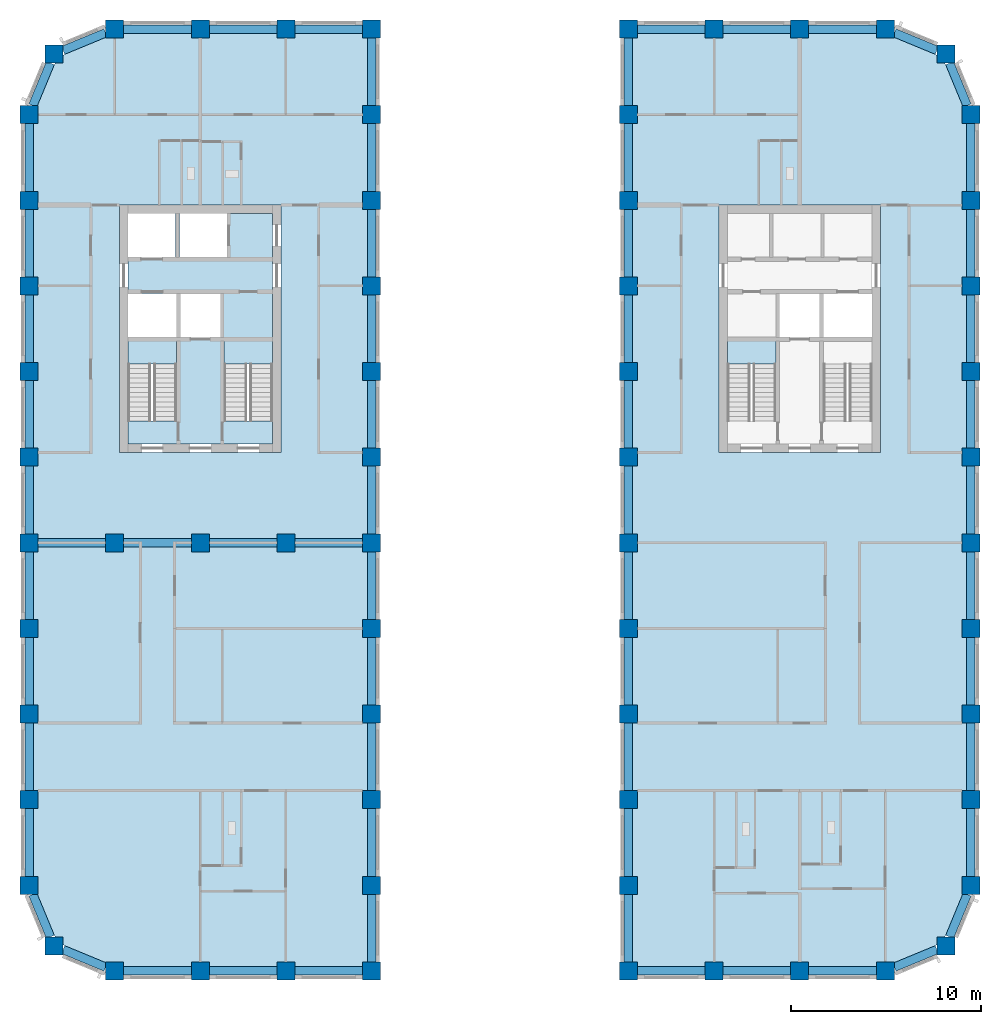
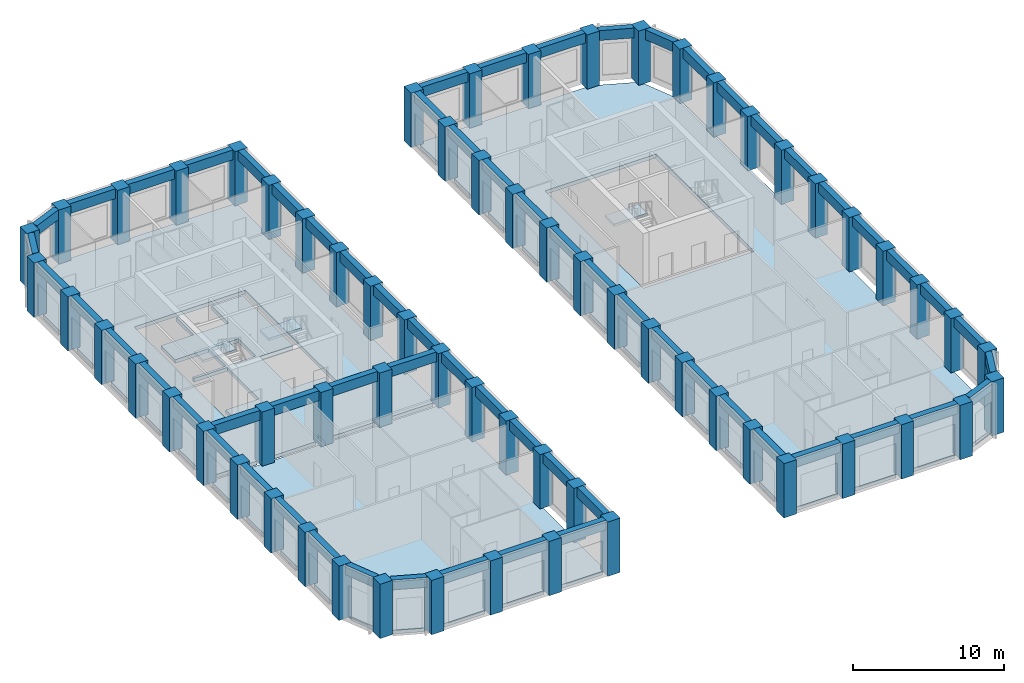
# One storey, part 1 of 13: 64 beams, 63 columns, 7 slabs, 3 elements without a shape of their own.
"""IFC4 building model written with IfcOpenShell, lengths in metres."""

from ifc_helpers import new_model, si_unit, direction, frame, origin, origin_2d, place, context, subcontext, project, spatial, polyline, rectangle, outline, extrude, material, layer, layer_set, material_profile, profile_set, type_object, element, aggregate, save


model = new_model("IFC4")

# Units and contexts
model_context = context("Model", 3, precision=1e-05, world=origin(), true_north=direction((0.0, 1.0)))
body_context = subcontext(model_context, "Body", "Model", "MODEL_VIEW")
ifc_project = project(units=[si_unit("LENGTHUNIT", "METRE"), si_unit("AREAUNIT", "SQUARE_METRE"), si_unit("VOLUMEUNIT", "CUBIC_METRE"), si_unit("PLANEANGLEUNIT", "RADIAN"), si_unit("MASSUNIT", "GRAM", prefix="KILO")], contexts=[model_context])

# Site, building, storey
site_placement = place(None, origin())
site = spatial("IfcSite", under=ifc_project, at=site_placement, CompositionType="ELEMENT")
building_placement = place(site_placement, origin())
building = spatial("IfcBuilding", under=site, at=building_placement, Name="Girih Gate Residences", CompositionType="ELEMENT")
storey_placement = place(building_placement, frame((0.0, 0.0, 159.39990234375)))
storey = spatial("IfcBuildingStorey", under=building, at=storey_placement, Name="L44", CompositionType="ELEMENT", Elevation=159.39990234375)

# Columns
ifc_material_1 = material(Name="Concrete C70/85", Category="concrete")
ifc_material_profile_1 = material_profile(ifc_material_1, rectangle(XDim=0.949951171875, YDim=0.949951171875, at=origin_2d()))
ifc_profile_set_1 = profile_set([ifc_material_profile_1], Name="Concrete C70/85")
column_type = type_object("IfcColumnType", Name="Pier RC 950x950 Concrete C70/85", PredefinedType="COLUMN", material=ifc_profile_set_1)
for number, where, z_axis, x_axis, name in (
    (1, (4.5, 0.0, 0.0), (0.0, 0.0, 1.0), (1.0, 0.0, 0.0), "Pier P2A L44"),
    (2, (9.0, 0.0, 0.0), (0.0, 0.0, 1.0), (1.0, 0.0, 0.0), "Pier P3A L44"),
    (3, (13.5, 0.0, 0.0), (0.0, 0.0, 1.0), (1.0, 0.0, 0.0), "Pier P4A L44"),
    (4, (18.0, 0.0, 0.0), (0.0, 0.0, 1.0), (1.0, 0.0, 0.0), "Pier P5A L44"),
    (5, (31.5, 0.0, 0.0), (0.0, 0.0, 1.0), (1.0, 0.0, 0.0), "Pier P8A L44"),
    (6, (36.0, 0.0, 0.0), (0.0, 0.0, 1.0), (1.0, 0.0, 0.0), "Pier P9A L44"),
    (7, (40.5, 0.0, 0.0), (0.0, 0.0, 1.0), (1.0, 0.0, 0.0), "Pier P10A L44"),
    (8, (45.0, 0.0, 0.0), (0.0, 0.0, 1.0), (1.0, 0.0, 0.0), "Pier P11A L44"),
    (9, (1.318115234375, 1.318115234375, 0.0), (0.0, 0.0, 1.0), (1.0, 0.0, 0.0), "Pier P1ANE L44"),
    (10, (48.181884765625, 1.318115234375, 0.0), (0.0, 0.0, 1.0), (1.0, 0.0, 0.0), "Pier P12ANW L44"),
    (11, (0.0, 4.5, 0.0), (0.0, 0.0, 1.0), (1.0, 0.0, 0.0), "Pier P1B L44"),
    (12, (18.0, 4.5, 0.0), (0.0, 0.0, 1.0), (1.0, 0.0, 0.0), "Pier P5B L44"),
    (13, (31.5, 4.5, 0.0), (0.0, 0.0, 1.0), (1.0, 0.0, 0.0), "Pier P8B L44"),
    (14, (49.5, 4.5, 0.0), (0.0, 0.0, 1.0), (1.0, 0.0, 0.0), "Pier P12B L44"),
    (15, (0.0, 9.0, 0.0), (0.0, 0.0, 1.0), (1.0, 0.0, 0.0), "Pier P1C L44"),
    (16, (18.0, 9.0, 0.0), (0.0, 0.0, 1.0), (1.0, 0.0, 0.0), "Pier P5C L44"),
    (17, (31.5, 9.0, 0.0), (0.0, 0.0, 1.0), (1.0, 0.0, 0.0), "Pier P8C L44"),
    (18, (49.5, 9.0, 0.0), (0.0, 0.0, 1.0), (1.0, 0.0, 0.0), "Pier P12C L44"),
    (19, (0.0, 13.5, 0.0), (0.0, 0.0, 1.0), (1.0, 0.0, 0.0), "Pier P1D L44"),
    (20, (18.0, 13.5, 0.0), (0.0, 0.0, 1.0), (1.0, 0.0, 0.0), "Pier P5D L44"),
    (21, (31.5, 13.5, 0.0), (0.0, 0.0, 1.0), (1.0, 0.0, 0.0), "Pier P8D L44"),
    (22, (49.5, 13.5, 0.0), (0.0, 0.0, 1.0), (1.0, 0.0, 0.0), "Pier P12D L44"),
    (23, (0.0, 18.0, 0.0), (0.0, 0.0, 1.0), (1.0, 0.0, 0.0), "Pier P1E L44"),
    (24, (18.0, 18.0, 0.0), (0.0, 0.0, 1.0), (1.0, 0.0, 0.0), "Pier P5E L44"),
    (25, (31.5, 18.0, 0.0), (0.0, 0.0, 1.0), (1.0, 0.0, 0.0), "Pier P8E L44"),
    (26, (49.5, 18.0, 0.0), (0.0, 0.0, 1.0), (1.0, 0.0, 0.0), "Pier P12E L44"),
    (27, (0.0, 22.5, 0.0), (0.0, 0.0, 1.0), (1.0, 0.0, 0.0), "Pier P1F L44"),
    (28, (4.5, 22.5, 0.0), (0.0, 0.0, 1.0), (1.0, 0.0, 0.0), "Pier P2F L44"),
    (29, (9.0, 22.5, 0.0), (0.0, 0.0, 1.0), (1.0, 0.0, 0.0), "Pier P3F L44"),
    (30, (13.5, 22.5, 0.0), (0.0, 0.0, 1.0), (1.0, 0.0, 0.0), "Pier P4F L44"),
    (31, (18.0, 22.5, 0.0), (0.0, 0.0, 1.0), (1.0, 0.0, 0.0), "Pier P5F L44"),
    (32, (31.5, 22.5, 0.0), (0.0, 0.0, 1.0), (1.0, 0.0, 0.0), "Pier P8F L44"),
    (33, (49.5, 22.5, 0.0), (0.0, 0.0, 1.0), (1.0, 0.0, 0.0), "Pier P12F L44"),
    (34, (0.0, 27.0, 0.0), (0.0, 0.0, 1.0), (1.0, 0.0, 0.0), "Pier P1G L44"),
    (35, (18.0, 27.0, 0.0), (0.0, 0.0, 1.0), (1.0, 0.0, 0.0), "Pier P5G L44"),
    (36, (31.5, 27.0, 0.0), (0.0, 0.0, 1.0), (1.0, 0.0, 0.0), "Pier P8G L44"),
    (37, (49.5, 27.0, 0.0), (0.0, 0.0, 1.0), (1.0, 0.0, 0.0), "Pier P12G L44"),
    (38, (0.0, 31.5, 0.0), (0.0, 0.0, 1.0), (1.0, 0.0, 0.0), "Pier P1H L44"),
    (39, (18.0, 31.5, 0.0), (0.0, 0.0, 1.0), (1.0, 0.0, 0.0), "Pier P5H L44"),
    (40, (31.5, 31.5, 0.0), (0.0, 0.0, 1.0), (1.0, 0.0, 0.0), "Pier P8H L44"),
    (41, (49.5, 31.5, 0.0), (0.0, 0.0, 1.0), (1.0, 0.0, 0.0), "Pier P12H L44"),
    (42, (0.0, 36.0, 0.0), (0.0, 0.0, 1.0), (1.0, 0.0, 0.0), "Pier P1I L44"),
    (43, (18.0, 36.0, 0.0), (0.0, 0.0, 1.0), (1.0, 0.0, 0.0), "Pier P5I L44"),
    (44, (31.5, 36.0, 0.0), (0.0, 0.0, 1.0), (1.0, 0.0, 0.0), "Pier P8I L44"),
    (45, (49.5, 36.0, 0.0), (0.0, 0.0, 1.0), (1.0, 0.0, 0.0), "Pier P12I L44"),
    (46, (0.0, 40.5, 0.0), (0.0, 0.0, 1.0), (1.0, 0.0, 0.0), "Pier P1J L44"),
    (47, (18.0, 40.5, 0.0), (0.0, 0.0, 1.0), (1.0, 0.0, 0.0), "Pier P5J L44"),
    (48, (31.5, 40.5, 0.0), (0.0, 0.0, 1.0), (1.0, 0.0, 0.0), "Pier P8J L44"),
    (49, (49.5, 40.5, 0.0), (0.0, 0.0, 1.0), (1.0, 0.0, 0.0), "Pier P12J L44"),
    (50, (0.0, 45.0, 0.0), (0.0, 0.0, 1.0), (1.0, 0.0, 0.0), "Pier P1K L44"),
    (51, (18.0, 45.0, 0.0), (0.0, 0.0, 1.0), (1.0, 0.0, 0.0), "Pier P5K L44"),
    (52, (31.5, 45.0, 0.0), (0.0, 0.0, 1.0), (1.0, 0.0, 0.0), "Pier P8K L44"),
    (53, (49.5, 45.0, 0.0), (0.0, 0.0, 1.0), (1.0, 0.0, 0.0), "Pier P12K L44"),
    (54, (1.318115234375, 48.181884765625, 0.0), (0.0, 0.0, 1.0), (1.0, 0.0, 0.0), "Pier P1LSE L44"),
    (55, (48.181884765625, 48.181884765625, 0.0), (0.0, 0.0, 1.0), (1.0, 0.0, 0.0), "Pier P12LSW L44"),
    (56, (4.5, 49.5, 0.0), (0.0, 0.0, 1.0), (1.0, 0.0, 0.0), "Pier P2L L44"),
    (57, (9.0, 49.5, 0.0), (0.0, 0.0, 1.0), (1.0, 0.0, 0.0), "Pier P3L L44"),
    (58, (13.5, 49.5, 0.0), (0.0, 0.0, 1.0), (1.0, 0.0, 0.0), "Pier P4L L44"),
    (59, (18.0, 49.5, 0.0), (0.0, 0.0, 1.0), (1.0, 0.0, 0.0), "Pier P5L L44"),
    (60, (31.5, 49.5, 0.0), (0.0, 0.0, 1.0), (1.0, 0.0, 0.0), "Pier P8L L44"),
    (61, (36.0, 49.5, 0.0), (0.0, 0.0, 1.0), (1.0, 0.0, 0.0), "Pier P9L L44"),
    (62, (40.5, 49.5, 0.0), (0.0, 0.0, 1.0), (1.0, 0.0, 0.0), "Pier P10L L44"),
    (63, (45.0, 49.5, 0.0), (0.0, 0.0, 1.0), (1.0, 0.0, 0.0), "Pier P11L L44"),
):
    element("IfcColumn", number, at=place(storey_placement, frame(where, z_axis=z_axis, x_axis=x_axis)), inside=storey, type_object=column_type, Name=name, PredefinedType="COLUMN", context=body_context, shape_type="SweptSolid", body=[
        extrude(rectangle(XDim=0.949951171875, YDim=0.949951171875, at=origin_2d()), origin(), (0.0, 0.0, 1.0), 4.400146484375),
    ])

# Beams
ifc_material_2 = material(Name="Concrete C60/75", Category="concrete")
ifc_material_profile_2 = material_profile(ifc_material_2, rectangle(XDim=0.449951171875, YDim=0.800048828125, at=origin_2d()))
ifc_profile_set_2 = profile_set([ifc_material_profile_2], Name="Concrete C60/75")
beam_type = type_object("IfcBeamType", Name="Spandrel girder RC 450x800 Concrete C60/75", PredefinedType="BEAM", material=ifc_profile_set_2)
for number, where, z_axis, x_axis, name in (
    (64, (17.52490234375, 49.5, 4.0), (-1.0, 0.0, 0.0), (0.0, -1.0, 0.0), "Spandrel girder SP-P5L-P4L L44"),
    (65, (13.02490234375, 49.5, 4.0), (-1.0, 0.0, 0.0), (0.0, -1.0, 0.0), "Spandrel girder SP-P4L-P3L L44"),
    (66, (8.52490234375, 49.5, 4.0), (-1.0, 0.0, 0.0), (0.0, -1.0, 0.0), "Spandrel girder SP-P3L-P2L L44"),
):
    element("IfcBeam", number, at=place(storey_placement, frame(where, z_axis=z_axis, x_axis=x_axis)), inside=storey, type_object=beam_type, Name=name, PredefinedType="BEAM", context=body_context, shape_type="SweptSolid", body=[
        extrude(rectangle(XDim=0.449951171875, YDim=0.800048828125, at=origin_2d()), origin(), (0.0, 0.0, 1.0), 3.5498046875),
    ])
for number, where, z_axis, x_axis, name in (
    (67, (4.02490234375, 49.30322265625, 4.0), (-0.923870256451, -0.382705825988, 0.0), (0.382705825988, -0.923870256451, 0.0), "Spandrel girder SP-P2L-P1LSE L44"),
    (68, (1.121337890625, 47.70703125, 4.0), (-0.382705825988, -0.923870256451, 0.0), (0.923870256451, -0.382705825988, 0.0), "Spandrel girder SP-P1LSE-P1K L44"),
):
    element("IfcBeam", number, at=place(storey_placement, frame(where, z_axis=z_axis, x_axis=x_axis)), inside=storey, type_object=beam_type, Name=name, PredefinedType="BEAM", context=body_context, shape_type="SweptSolid", body=[
        extrude(rectangle(XDim=0.449951171875, YDim=0.800048828125, at=origin_2d()), origin(), (0.0, 0.0, 1.0), 2.415771484375),
    ])
for number, where, z_axis, x_axis, name in (
    (69, (0.0, 44.52490234375, 4.0), (0.0, -1.0, 0.0), (1.0, 0.0, 0.0), "Spandrel girder SP-P1K-P1J L44"),
    (70, (0.0, 40.02490234375, 4.0), (0.0, -1.0, 0.0), (1.0, 0.0, 0.0), "Spandrel girder SP-P1J-P1I L44"),
    (71, (0.0, 35.52490234375, 4.0), (0.0, -1.0, 0.0), (1.0, 0.0, 0.0), "Spandrel girder SP-P1I-P1H L44"),
    (72, (0.0, 31.02490234375, 4.0), (0.0, -1.0, 0.0), (1.0, 0.0, 0.0), "Spandrel girder SP-P1H-P1G L44"),
    (73, (0.0, 26.52490234375, 4.0), (0.0, -1.0, 0.0), (1.0, 0.0, 0.0), "Spandrel girder SP-P1G-P1F L44"),
    (74, (0.0, 22.02490234375, 4.0), (0.0, -1.0, 0.0), (1.0, 0.0, 0.0), "Spandrel girder SP-P1F-P1E L44"),
    (75, (0.0, 17.52490234375, 4.0), (0.0, -1.0, 0.0), (1.0, 0.0, 0.0), "Spandrel girder SP-P1E-P1D L44"),
    (76, (0.0, 13.02490234375, 4.0), (0.0, -1.0, 0.0), (1.0, 0.0, 0.0), "Spandrel girder SP-P1D-P1C L44"),
    (77, (0.0, 8.52490234375, 4.0), (0.0, -1.0, 0.0), (1.0, 0.0, 0.0), "Spandrel girder SP-P1C-P1B L44"),
):
    element("IfcBeam", number, at=place(storey_placement, frame(where, z_axis=z_axis, x_axis=x_axis)), inside=storey, type_object=beam_type, Name=name, PredefinedType="BEAM", context=body_context, shape_type="SweptSolid", body=[
        extrude(rectangle(XDim=0.449951171875, YDim=0.800048828125, at=origin_2d()), origin(), (0.0, 0.0, 1.0), 3.5498046875),
    ])
for number, where, z_axis, x_axis, name in (
    (78, (0.19677734375, 4.02490234375, 4.0), (0.382705825988, -0.923870256451, 0.0), (0.923870256451, 0.382705825988, 0.0), "Spandrel girder SP-P1B-P1ANE L44"),
    (79, (1.79296875, 1.121337890625, 4.0), (0.923870256451, -0.382705825988, 0.0), (0.382705825988, 0.923870256451, 0.0), "Spandrel girder SP-P1ANE-P2A L44"),
):
    element("IfcBeam", number, at=place(storey_placement, frame(where, z_axis=z_axis, x_axis=x_axis)), inside=storey, type_object=beam_type, Name=name, PredefinedType="BEAM", context=body_context, shape_type="SweptSolid", body=[
        extrude(rectangle(XDim=0.449951171875, YDim=0.800048828125, at=origin_2d()), origin(), (0.0, 0.0, 1.0), 2.415771484375),
    ])
for number, where, z_axis, x_axis, name in (
    (80, (4.97509765625, 0.0, 4.0), (1.0, 0.0, 0.0), (0.0, 1.0, 0.0), "Spandrel girder SP-P2A-P3A L44"),
    (81, (9.47509765625, 0.0, 4.0), (1.0, 0.0, 0.0), (0.0, 1.0, 0.0), "Spandrel girder SP-P3A-P4A L44"),
    (82, (13.97509765625, 0.0, 4.0), (1.0, 0.0, 0.0), (0.0, 1.0, 0.0), "Spandrel girder SP-P4A-P5A L44"),
    (83, (18.0, 0.47509765625, 4.0), (0.0, 1.0, 0.0), (-1.0, 0.0, 0.0), "Spandrel girder SP-P5A-P5B L44"),
    (84, (18.0, 4.97509765625, 4.0), (0.0, 1.0, 0.0), (-1.0, 0.0, 0.0), "Spandrel girder SP-P5B-P5C L44"),
    (85, (18.0, 9.47509765625, 4.0), (0.0, 1.0, 0.0), (-1.0, 0.0, 0.0), "Spandrel girder SP-P5C-P5D L44"),
    (86, (18.0, 13.97509765625, 4.0), (0.0, 1.0, 0.0), (-1.0, 0.0, 0.0), "Spandrel girder SP-P5D-P5E L44"),
    (87, (18.0, 18.47509765625, 4.0), (0.0, 1.0, 0.0), (-1.0, 0.0, 0.0), "Spandrel girder SP-P5E-P5F L44"),
    (88, (18.0, 22.97509765625, 4.0), (0.0, 1.0, 0.0), (-1.0, 0.0, 0.0), "Spandrel girder SP-P5F-P5G L44"),
    (89, (18.0, 27.47509765625, 4.0), (0.0, 1.0, 0.0), (-1.0, 0.0, 0.0), "Spandrel girder SP-P5G-P5H L44"),
    (90, (18.0, 31.97509765625, 4.0), (0.0, 1.0, 0.0), (-1.0, 0.0, 0.0), "Spandrel girder SP-P5H-P5I L44"),
    (91, (18.0, 36.47509765625, 4.0), (0.0, 1.0, 0.0), (-1.0, 0.0, 0.0), "Spandrel girder SP-P5I-P5J L44"),
    (92, (18.0, 40.97509765625, 4.0), (0.0, 1.0, 0.0), (-1.0, 0.0, 0.0), "Spandrel girder SP-P5J-P5K L44"),
    (93, (18.0, 45.47509765625, 4.0), (0.0, 1.0, 0.0), (-1.0, 0.0, 0.0), "Spandrel girder SP-P5K-P5L L44"),
    (94, (31.97509765625, 0.0, 4.0), (1.0, 0.0, 0.0), (0.0, 1.0, 0.0), "Spandrel girder SP-P8A-P9A L44"),
    (95, (36.47509765625, 0.0, 4.0), (1.0, 0.0, 0.0), (0.0, 1.0, 0.0), "Spandrel girder SP-P9A-P10A L44"),
    (96, (40.97509765625, 0.0, 4.0), (1.0, 0.0, 0.0), (0.0, 1.0, 0.0), "Spandrel girder SP-P10A-P11A L44"),
):
    element("IfcBeam", number, at=place(storey_placement, frame(where, z_axis=z_axis, x_axis=x_axis)), inside=storey, type_object=beam_type, Name=name, PredefinedType="BEAM", context=body_context, shape_type="SweptSolid", body=[
        extrude(rectangle(XDim=0.449951171875, YDim=0.800048828125, at=origin_2d()), origin(), (0.0, 0.0, 1.0), 3.5498046875),
    ])
for number, where, z_axis, x_axis, name in (
    (97, (45.47509765625, 0.19677734375, 4.0), (0.923870256451, 0.382705825988, 0.0), (-0.382705825988, 0.923870256451, 0.0), "Spandrel girder SP-P11A-P12ANW L44"),
    (98, (48.378662109375, 1.79296875, 4.0), (0.382705825988, 0.923870256451, 0.0), (-0.923870256451, 0.382705825988, 0.0), "Spandrel girder SP-P12ANW-P12B L44"),
):
    element("IfcBeam", number, at=place(storey_placement, frame(where, z_axis=z_axis, x_axis=x_axis)), inside=storey, type_object=beam_type, Name=name, PredefinedType="BEAM", context=body_context, shape_type="SweptSolid", body=[
        extrude(rectangle(XDim=0.449951171875, YDim=0.800048828125, at=origin_2d()), origin(), (0.0, 0.0, 1.0), 2.415771484375),
    ])
for number, where, z_axis, x_axis, name in (
    (99, (49.5, 4.97509765625, 4.0), (0.0, 1.0, 0.0), (-1.0, 0.0, 0.0), "Spandrel girder SP-P12B-P12C L44"),
    (100, (49.5, 9.47509765625, 4.0), (0.0, 1.0, 0.0), (-1.0, 0.0, 0.0), "Spandrel girder SP-P12C-P12D L44"),
    (101, (49.5, 13.97509765625, 4.0), (0.0, 1.0, 0.0), (-1.0, 0.0, 0.0), "Spandrel girder SP-P12D-P12E L44"),
    (102, (49.5, 18.47509765625, 4.0), (0.0, 1.0, 0.0), (-1.0, 0.0, 0.0), "Spandrel girder SP-P12E-P12F L44"),
    (103, (49.5, 22.97509765625, 4.0), (0.0, 1.0, 0.0), (-1.0, 0.0, 0.0), "Spandrel girder SP-P12F-P12G L44"),
    (104, (49.5, 27.47509765625, 4.0), (0.0, 1.0, 0.0), (-1.0, 0.0, 0.0), "Spandrel girder SP-P12G-P12H L44"),
    (105, (49.5, 31.97509765625, 4.0), (0.0, 1.0, 0.0), (-1.0, 0.0, 0.0), "Spandrel girder SP-P12H-P12I L44"),
    (106, (49.5, 36.47509765625, 4.0), (0.0, 1.0, 0.0), (-1.0, 0.0, 0.0), "Spandrel girder SP-P12I-P12J L44"),
    (107, (49.5, 40.97509765625, 4.0), (0.0, 1.0, 0.0), (-1.0, 0.0, 0.0), "Spandrel girder SP-P12J-P12K L44"),
):
    element("IfcBeam", number, at=place(storey_placement, frame(where, z_axis=z_axis, x_axis=x_axis)), inside=storey, type_object=beam_type, Name=name, PredefinedType="BEAM", context=body_context, shape_type="SweptSolid", body=[
        extrude(rectangle(XDim=0.449951171875, YDim=0.800048828125, at=origin_2d()), origin(), (0.0, 0.0, 1.0), 3.5498046875),
    ])
for number, where, z_axis, x_axis, name in (
    (108, (49.30322265625, 45.47509765625, 4.0), (-0.382705825988, 0.923870256451, 0.0), (-0.923870256451, -0.382705825988, 0.0), "Spandrel girder SP-P12K-P12LSW L44"),
    (109, (47.70703125, 48.378662109375, 4.0), (-0.923870256451, 0.382705825988, 0.0), (-0.382705825988, -0.923870256451, 0.0), "Spandrel girder SP-P12LSW-P11L L44"),
):
    element("IfcBeam", number, at=place(storey_placement, frame(where, z_axis=z_axis, x_axis=x_axis)), inside=storey, type_object=beam_type, Name=name, PredefinedType="BEAM", context=body_context, shape_type="SweptSolid", body=[
        extrude(rectangle(XDim=0.449951171875, YDim=0.800048828125, at=origin_2d()), origin(), (0.0, 0.0, 1.0), 2.415771484375),
    ])
for number, where, z_axis, x_axis, name in (
    (110, (44.52490234375, 49.5, 4.0), (-1.0, 0.0, 0.0), (0.0, -1.0, 0.0), "Spandrel girder SP-P11L-P10L L44"),
    (111, (40.02490234375, 49.5, 4.0), (-1.0, 0.0, 0.0), (0.0, -1.0, 0.0), "Spandrel girder SP-P10L-P9L L44"),
    (112, (35.52490234375, 49.5, 4.0), (-1.0, 0.0, 0.0), (0.0, -1.0, 0.0), "Spandrel girder SP-P9L-P8L L44"),
    (113, (31.5, 49.02490234375, 4.0), (0.0, -1.0, 0.0), (1.0, 0.0, 0.0), "Spandrel girder SP-P8L-P8K L44"),
    (114, (31.5, 44.52490234375, 4.0), (0.0, -1.0, 0.0), (1.0, 0.0, 0.0), "Spandrel girder SP-P8K-P8J L44"),
    (115, (31.5, 40.02490234375, 4.0), (0.0, -1.0, 0.0), (1.0, 0.0, 0.0), "Spandrel girder SP-P8J-P8I L44"),
    (116, (31.5, 35.52490234375, 4.0), (0.0, -1.0, 0.0), (1.0, 0.0, 0.0), "Spandrel girder SP-P8I-P8H L44"),
    (117, (31.5, 31.02490234375, 4.0), (0.0, -1.0, 0.0), (1.0, 0.0, 0.0), "Spandrel girder SP-P8H-P8G L44"),
    (118, (31.5, 26.52490234375, 4.0), (0.0, -1.0, 0.0), (1.0, 0.0, 0.0), "Spandrel girder SP-P8G-P8F L44"),
    (119, (31.5, 22.02490234375, 4.0), (0.0, -1.0, 0.0), (1.0, 0.0, 0.0), "Spandrel girder SP-P8F-P8E L44"),
    (120, (31.5, 17.52490234375, 4.0), (0.0, -1.0, 0.0), (1.0, 0.0, 0.0), "Spandrel girder SP-P8E-P8D L44"),
    (121, (31.5, 13.02490234375, 4.0), (0.0, -1.0, 0.0), (1.0, 0.0, 0.0), "Spandrel girder SP-P8D-P8C L44"),
    (122, (31.5, 8.52490234375, 4.0), (0.0, -1.0, 0.0), (1.0, 0.0, 0.0), "Spandrel girder SP-P8C-P8B L44"),
    (123, (31.5, 4.02490234375, 4.0), (0.0, -1.0, 0.0), (1.0, 0.0, 0.0), "Spandrel girder SP-P8B-P8A L44"),
    (124, (0.47509765625, 22.5, 4.0), (1.0, 0.0, 0.0), (0.0, 1.0, 0.0), "Spandrel girder SP-P1F-P2F L44"),
    (125, (4.97509765625, 22.5, 4.0), (1.0, 0.0, 0.0), (0.0, 1.0, 0.0), "Spandrel girder SP-P2F-P3F L44"),
    (126, (9.47509765625, 22.5, 4.0), (1.0, 0.0, 0.0), (0.0, 1.0, 0.0), "Spandrel girder SP-P3F-P4F L44"),
    (127, (13.97509765625, 22.5, 4.0), (1.0, 0.0, 0.0), (0.0, 1.0, 0.0), "Spandrel girder SP-P4F-P5F L44"),
):
    element("IfcBeam", number, at=place(storey_placement, frame(where, z_axis=z_axis, x_axis=x_axis)), inside=storey, type_object=beam_type, Name=name, PredefinedType="BEAM", context=body_context, shape_type="SweptSolid", body=[
        extrude(rectangle(XDim=0.449951171875, YDim=0.800048828125, at=origin_2d()), origin(), (0.0, 0.0, 1.0), 3.5498046875),
    ])

# Slabs
ifc_material_3 = material(Name="Concrete C40/50", Category="concrete")
ifc_layer_1 = layer(ifc_material_3, 0.300048828125)
ifc_layer_set_1 = layer_set([ifc_layer_1], Name="Core floor slab 300")
slab_type_1 = type_object("IfcSlabType", Name="Core floor slab 300", PredefinedType="FLOOR", material=ifc_layer_set_1)
slab_1_placement = place(storey_placement, frame((0.0, 0.0, -0.2998046875)))
element("IfcSlab", 128, at=slab_1_placement, inside=storey, type_object=slab_type_1, Name="L44 W core floor", PredefinedType="FLOOR", context=body_context, shape_type="SweptSolid", body=[
    extrude(outline(polyline([(12.800048828125, 27.699951171875), (5.199951171875, 27.699951171875), (5.199951171875, 28.900634765625), (7.75, 28.900634765625), (7.75, 33.10009765625), (5.199951171875, 33.10009765625), (5.199951171875, 33.300048828125), (7.75, 33.300048828125), (7.75, 35.60009765625), (5.199951171875, 35.60009765625), (5.199951171875, 37.5), (7.699951171875, 37.5), (7.699951171875, 39.800048828125), (7.89990234375, 39.800048828125), (7.89990234375, 37.5), (10.39990234375, 37.5), (10.39990234375, 39.800048828125), (12.800048828125, 39.800048828125), (12.800048828125, 33.10009765625), (10.25, 33.10009765625), (10.25, 28.900634765625), (12.800048828125, 28.900634765625), (12.800048828125, 27.699951171875)]), holes=[polyline([(7.949951171875, 33.300048828125), (10.050048828125, 33.300048828125), (10.050048828125, 35.60009765625), (7.949951171875, 35.60009765625), (7.949951171875, 33.300048828125)])]), origin(), (0.0, 0.0, 1.0), 0.2998046875),
])
ifc_layer_2 = layer(ifc_material_3, 0.300048828125)
ifc_layer_set_2 = layer_set([ifc_layer_2], Name="Floor slab PT 300 Concrete C40/50")
slab_type_2 = type_object("IfcSlabType", Name="Floor slab PT 300 Concrete C40/50", PredefinedType="FLOOR", material=ifc_layer_set_2)
slab_2_placement = place(storey_placement, frame((0.0, 0.0, -0.2998046875)))
element("IfcSlab", 129, at=slab_2_placement, inside=storey, type_object=slab_type_2, Name="Floor slab L44 0", PredefinedType="FLOOR", context=body_context, shape_type="SweptSolid", body=[
    extrude(outline(polyline([(13.97509765625, 0.22509765625), (17.52490234375, 0.22509765625), (17.52490234375, 0.47509765625), (17.77490234375, 0.47509765625), (17.77490234375, 4.02490234375), (17.52490234375, 4.02490234375), (17.52490234375, 4.97509765625), (17.77490234375, 4.97509765625), (17.77490234375, 8.52490234375), (17.52490234375, 8.52490234375), (17.52490234375, 9.47509765625), (17.77490234375, 9.47509765625), (17.77490234375, 13.02490234375), (17.52490234375, 13.02490234375), (17.52490234375, 13.97509765625), (17.77490234375, 13.97509765625), (17.77490234375, 17.52490234375), (17.52490234375, 17.52490234375), (17.52490234375, 18.47509765625), (17.77490234375, 18.47509765625), (17.77490234375, 22.02490234375), (17.52490234375, 22.02490234375), (17.52490234375, 22.27490234375), (13.97509765625, 22.27490234375), (13.97509765625, 22.02490234375), (13.02490234375, 22.02490234375), (13.02490234375, 22.27490234375), (9.47509765625, 22.27490234375), (9.47509765625, 22.02490234375), (8.52490234375, 22.02490234375), (8.52490234375, 22.27490234375), (4.97509765625, 22.27490234375), (4.97509765625, 22.02490234375), (4.02490234375, 22.02490234375), (4.02490234375, 22.27490234375), (0.47509765625, 22.27490234375), (0.47509765625, 22.02490234375), (0.22509765625, 22.02490234375), (0.22509765625, 18.47509765625), (0.47509765625, 18.47509765625), (0.47509765625, 17.52490234375), (0.22509765625, 17.52490234375), (0.22509765625, 13.97509765625), (0.47509765625, 13.97509765625), (0.47509765625, 13.02490234375), (0.22509765625, 13.02490234375), (0.22509765625, 9.47509765625), (0.47509765625, 9.47509765625), (0.47509765625, 8.52490234375), (0.22509765625, 8.52490234375), (0.22509765625, 4.97509765625), (0.47509765625, 4.97509765625), (0.47509765625, 4.02490234375), (0.440185546875, 4.02490234375), (1.36474609375, 1.79296875), (1.79296875, 1.79296875), (1.79296875, 1.36474609375), (4.02490234375, 0.440185546875), (4.02490234375, 0.47509765625), (4.97509765625, 0.47509765625), (4.97509765625, 0.22509765625), (8.52490234375, 0.22509765625), (8.52490234375, 0.47509765625), (9.47509765625, 0.47509765625), (9.47509765625, 0.22509765625), (13.02490234375, 0.22509765625), (13.02490234375, 0.47509765625), (13.97509765625, 0.47509765625), (13.97509765625, 0.22509765625)])), origin(), (0.0, 0.0, 1.0), 0.2998046875),
])
slab_3_placement = place(storey_placement, frame((0.0, 0.0, -0.2998046875)))
element("IfcSlab", 130, at=slab_3_placement, inside=storey, type_object=slab_type_2, Name="Floor slab L44 1", PredefinedType="FLOOR", context=body_context, shape_type="SweptSolid", body=[
    extrude(outline(polyline([(35.52490234375, 49.27490234375), (31.97509765625, 49.27490234375), (31.97509765625, 49.02490234375), (31.72509765625, 49.02490234375), (31.72509765625, 45.47509765625), (31.97509765625, 45.47509765625), (31.97509765625, 44.52490234375), (31.72509765625, 44.52490234375), (31.72509765625, 40.97509765625), (31.97509765625, 40.97509765625), (31.97509765625, 40.02490234375), (31.72509765625, 40.02490234375), (31.72509765625, 36.47509765625), (31.97509765625, 36.47509765625), (31.97509765625, 35.52490234375), (31.72509765625, 35.52490234375), (31.72509765625, 31.97509765625), (31.97509765625, 31.97509765625), (31.97509765625, 31.02490234375), (31.72509765625, 31.02490234375), (31.72509765625, 27.47509765625), (31.97509765625, 27.47509765625), (31.97509765625, 26.52490234375), (31.72509765625, 26.52490234375), (31.72509765625, 22.97509765625), (31.97509765625, 22.97509765625), (31.97509765625, 22.02490234375), (31.72509765625, 22.02490234375), (31.72509765625, 18.47509765625), (31.97509765625, 18.47509765625), (31.97509765625, 17.52490234375), (31.72509765625, 17.52490234375), (31.72509765625, 13.97509765625), (31.97509765625, 13.97509765625), (31.97509765625, 13.02490234375), (31.72509765625, 13.02490234375), (31.72509765625, 9.47509765625), (31.97509765625, 9.47509765625), (31.97509765625, 8.52490234375), (31.72509765625, 8.52490234375), (31.72509765625, 4.97509765625), (31.97509765625, 4.97509765625), (31.97509765625, 4.02490234375), (31.72509765625, 4.02490234375), (31.72509765625, 0.47509765625), (31.97509765625, 0.47509765625), (31.97509765625, 0.22509765625), (35.52490234375, 0.22509765625), (35.52490234375, 0.47509765625), (36.47509765625, 0.47509765625), (36.47509765625, 0.22509765625), (40.02490234375, 0.22509765625), (40.02490234375, 0.47509765625), (40.97509765625, 0.47509765625), (40.97509765625, 0.22509765625), (44.52490234375, 0.22509765625), (44.52490234375, 0.47509765625), (45.47509765625, 0.47509765625), (45.47509765625, 0.440185546875), (47.70703125, 1.36474609375), (47.70703125, 1.79296875), (48.13525390625, 1.79296875), (49.059814453125, 4.02490234375), (49.02490234375, 4.02490234375), (49.02490234375, 4.97509765625), (49.27490234375, 4.97509765625), (49.27490234375, 8.52490234375), (49.02490234375, 8.52490234375), (49.02490234375, 9.47509765625), (49.27490234375, 9.47509765625), (49.27490234375, 13.02490234375), (49.02490234375, 13.02490234375), (49.02490234375, 13.97509765625), (49.27490234375, 13.97509765625), (49.27490234375, 17.52490234375), (49.02490234375, 17.52490234375), (49.02490234375, 18.47509765625), (49.27490234375, 18.47509765625), (49.27490234375, 22.02490234375), (49.02490234375, 22.02490234375), (49.02490234375, 22.97509765625), (49.27490234375, 22.97509765625), (49.27490234375, 26.52490234375), (49.02490234375, 26.52490234375), (49.02490234375, 27.47509765625), (49.27490234375, 27.47509765625), (49.27490234375, 31.02490234375), (49.02490234375, 31.02490234375), (49.02490234375, 31.97509765625), (49.27490234375, 31.97509765625), (49.27490234375, 35.52490234375), (49.02490234375, 35.52490234375), (49.02490234375, 36.47509765625), (49.27490234375, 36.47509765625), (49.27490234375, 40.02490234375), (49.02490234375, 40.02490234375), (49.02490234375, 40.97509765625), (49.27490234375, 40.97509765625), (49.27490234375, 44.52490234375), (49.02490234375, 44.52490234375), (49.02490234375, 45.47509765625), (49.059814453125, 45.47509765625), (48.13525390625, 47.70703125), (47.70703125, 47.70703125), (47.70703125, 48.13525390625), (45.47509765625, 49.059814453125), (45.47509765625, 49.02490234375), (44.52490234375, 49.02490234375), (44.52490234375, 49.27490234375), (40.97509765625, 49.27490234375), (40.97509765625, 49.02490234375), (40.02490234375, 49.02490234375), (40.02490234375, 49.27490234375), (36.47509765625, 49.27490234375), (36.47509765625, 49.02490234375), (35.52490234375, 49.02490234375), (35.52490234375, 49.27490234375)]), holes=[polyline([(44.75, 40.25), (44.75, 27.25), (36.25, 27.25), (36.25, 40.25), (44.75, 40.25)])]), origin(), (0.0, 0.0, 1.0), 0.2998046875),
])
slab_4_placement = place(storey_placement, frame((0.0, 0.0, -0.2998046875)))
element("IfcSlab", 131, at=slab_4_placement, inside=storey, type_object=slab_type_2, Name="Floor slab L44 2", PredefinedType="FLOOR", context=body_context, shape_type="SweptSolid", body=[
    extrude(outline(polyline([(0.22509765625, 26.52490234375), (0.22509765625, 22.97509765625), (0.47509765625, 22.97509765625), (0.47509765625, 22.72509765625), (4.02490234375, 22.72509765625), (4.02490234375, 22.97509765625), (4.97509765625, 22.97509765625), (4.97509765625, 22.72509765625), (8.52490234375, 22.72509765625), (8.52490234375, 22.97509765625), (9.47509765625, 22.97509765625), (9.47509765625, 22.72509765625), (13.02490234375, 22.72509765625), (13.02490234375, 22.97509765625), (13.97509765625, 22.97509765625), (13.97509765625, 22.72509765625), (17.52490234375, 22.72509765625), (17.52490234375, 22.97509765625), (17.77490234375, 22.97509765625), (17.77490234375, 26.52490234375), (17.52490234375, 26.52490234375), (17.52490234375, 27.47509765625), (17.77490234375, 27.47509765625), (17.77490234375, 31.02490234375), (17.52490234375, 31.02490234375), (17.52490234375, 31.97509765625), (17.77490234375, 31.97509765625), (17.77490234375, 35.52490234375), (17.52490234375, 35.52490234375), (17.52490234375, 36.47509765625), (17.77490234375, 36.47509765625), (17.77490234375, 40.02490234375), (17.52490234375, 40.02490234375), (17.52490234375, 40.97509765625), (17.77490234375, 40.97509765625), (17.77490234375, 44.52490234375), (17.52490234375, 44.52490234375), (17.52490234375, 45.47509765625), (17.77490234375, 45.47509765625), (17.77490234375, 49.02490234375), (17.52490234375, 49.02490234375), (17.52490234375, 49.27490234375), (13.97509765625, 49.27490234375), (13.97509765625, 49.02490234375), (13.02490234375, 49.02490234375), (13.02490234375, 49.27490234375), (9.47509765625, 49.27490234375), (9.47509765625, 49.02490234375), (8.52490234375, 49.02490234375), (8.52490234375, 49.27490234375), (4.97509765625, 49.27490234375), (4.97509765625, 49.02490234375), (4.02490234375, 49.02490234375), (4.02490234375, 49.059814453125), (1.79296875, 48.13525390625), (1.79296875, 47.70703125), (1.36474609375, 47.70703125), (0.440185546875, 45.47509765625), (0.47509765625, 45.47509765625), (0.47509765625, 44.52490234375), (0.22509765625, 44.52490234375), (0.22509765625, 40.97509765625), (0.47509765625, 40.97509765625), (0.47509765625, 40.02490234375), (0.22509765625, 40.02490234375), (0.22509765625, 36.47509765625), (0.47509765625, 36.47509765625), (0.47509765625, 35.52490234375), (0.22509765625, 35.52490234375), (0.22509765625, 31.97509765625), (0.47509765625, 31.97509765625), (0.47509765625, 31.02490234375), (0.22509765625, 31.02490234375), (0.22509765625, 27.47509765625), (0.47509765625, 27.47509765625), (0.47509765625, 26.52490234375), (0.22509765625, 26.52490234375)]), holes=[polyline([(13.25, 40.25), (13.25, 27.25), (4.75, 27.25), (4.75, 40.25), (13.25, 40.25)])]), origin(), (0.0, 0.0, 1.0), 0.2998046875),
])

# Stair, slab
stair_type = type_object("IfcStairType", Name="Exit stair", PredefinedType="HALF_TURN_STAIR", material=ifc_material_3)
stair_1_placement = place(storey_placement, origin())
stair_1 = element("IfcStair", 132, at=stair_1_placement, inside=storey, type_object=stair_type, Name="L44 Exit Stair ST-W1", PredefinedType="HALF_TURN_STAIR")
ifc_layer_3 = layer(ifc_material_3, 0.199951171875)
ifc_layer_set_3 = layer_set([ifc_layer_3], Name="Stair landing 200")
slab_type_3 = type_object("IfcSlabType", Name="Stair landing 200", PredefinedType="LANDING", material=ifc_layer_set_3)
slab_5_placement = place(storey_placement, frame((0.0, 0.0, 2.0)))
slab_5 = element("IfcSlab", 133, at=slab_5_placement, type_object=slab_type_3, Name="ST-W1 landing 1", PredefinedType="LANDING", context=body_context, shape_type="SweptSolid", body=[
    extrude(outline(polyline([(7.75, 31.89990234375), (7.75, 33.10009765625), (5.199951171875, 33.10009765625), (5.199951171875, 31.89990234375), (7.75, 31.89990234375)])), origin(), (0.0, 0.0, 1.0), 0.2001953125),
])
aggregate(stair_1, [slab_5])

stair_2_placement = place(storey_placement, origin())
stair_2 = element("IfcStair", 134, at=stair_2_placement, inside=storey, type_object=stair_type, Name="L44 Exit Stair ST-W2", PredefinedType="HALF_TURN_STAIR")
slab_6_placement = place(storey_placement, frame((0.0, 0.0, 2.0)))
slab_6 = element("IfcSlab", 135, at=slab_6_placement, type_object=slab_type_3, Name="ST-W2 landing 1", PredefinedType="LANDING", context=body_context, shape_type="SweptSolid", body=[
    extrude(outline(polyline([(12.800048828125, 31.89990234375), (12.800048828125, 33.10009765625), (10.25, 33.10009765625), (10.25, 31.89990234375), (12.800048828125, 31.89990234375)])), origin(), (0.0, 0.0, 1.0), 0.2001953125),
])
aggregate(stair_2, [slab_6])

stair_3_placement = place(storey_placement, origin())
stair_3 = element("IfcStair", 136, at=stair_3_placement, inside=storey, type_object=stair_type, Name="L44 Exit Stair ST-E2", PredefinedType="HALF_TURN_STAIR")
slab_7_placement = place(storey_placement, frame((0.0, 0.0, 2.0)))
slab_7 = element("IfcSlab", 137, at=slab_7_placement, type_object=slab_type_3, Name="ST-E2 landing 1", PredefinedType="LANDING", context=body_context, shape_type="SweptSolid", body=[
    extrude(outline(polyline([(39.25, 31.89990234375), (39.25, 33.10009765625), (36.699951171875, 33.10009765625), (36.699951171875, 31.89990234375), (39.25, 31.89990234375)])), origin(), (0.0, 0.0, 1.0), 0.2001953125),
])
aggregate(stair_3, [slab_7])

save(model, "model.ifc")
